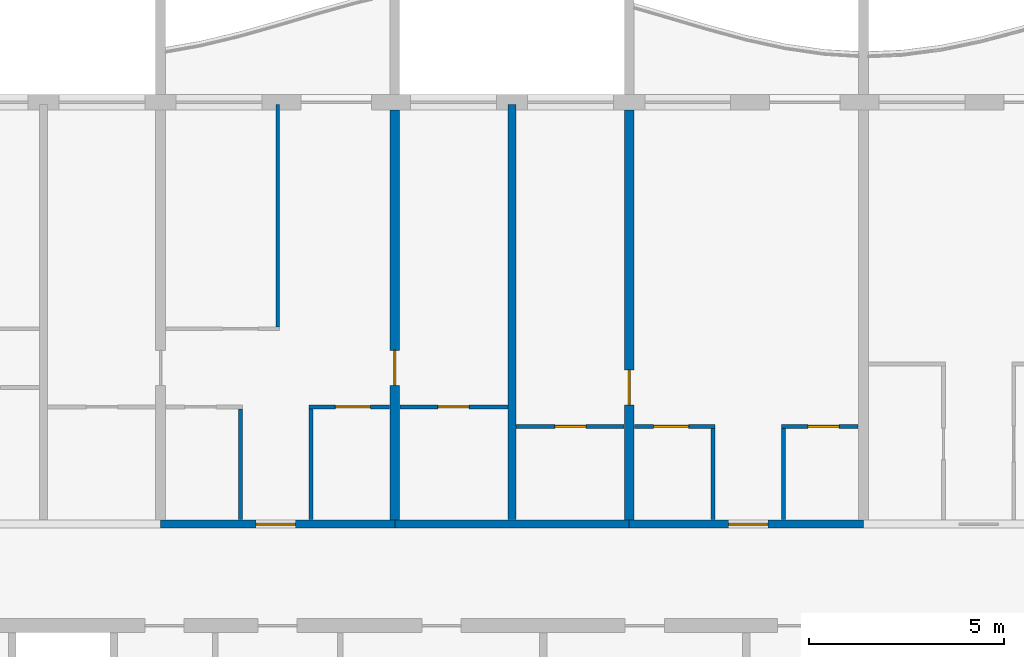
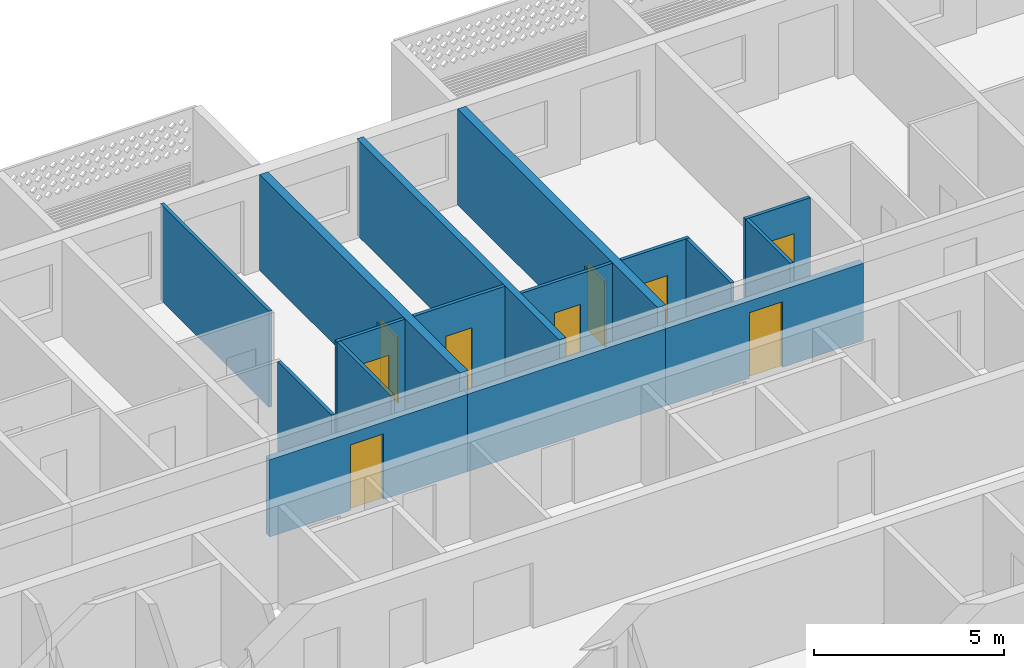
# One storey, part 9 of 26: 16 walls, 9 doors, 9 openings.
"""IFC4 building model written with IfcOpenShell, lengths in metres."""

from ifc_helpers import new_model, si_unit, direction, frame, frame_2d, origin, place, context, subcontext, project, spatial, rectangle, extrude, material, layer, layer_set, type_object, element, fill, save


model = new_model("IFC4")

# Units and contexts
model_context = context("Model", 3, precision=1e-05, world=origin(), true_north=direction((0.0, 1.0)))
body_context = subcontext(model_context, "Body", "Model", "MODEL_VIEW")
ifc_project = project(units=[si_unit("LENGTHUNIT", "METRE"), si_unit("AREAUNIT", "SQUARE_METRE"), si_unit("VOLUMEUNIT", "CUBIC_METRE"), si_unit("PLANEANGLEUNIT", "RADIAN"), si_unit("MASSUNIT", "GRAM", prefix="KILO")], contexts=[model_context])

# Site, building, storey
site_placement = place(None, origin())
site = spatial("IfcSite", under=ifc_project, at=site_placement, CompositionType="ELEMENT")
building_placement = place(site_placement, origin())
building = spatial("IfcBuilding", under=site, at=building_placement, Name="Poui Terraces", CompositionType="ELEMENT")
storey_placement = place(building_placement, frame((0.0, 0.0, 244.5)))
storey = spatial("IfcBuildingStorey", under=building, at=storey_placement, Name="L68", CompositionType="ELEMENT", Elevation=244.5)

# Wall, opening, door
ifc_material_1 = material(Name="Concrete 50 MPa", Category="concrete")
ifc_layer_1 = layer(ifc_material_1, 0.199951171875)
ifc_layer_set_1 = layer_set([ifc_layer_1], Name="Concrete 50 MPa")
wall_type_1 = type_object("IfcWallType", Name="CORRIDOR WALL 200 50MPa", PredefinedType="SHEAR", material=ifc_layer_set_1)
wall_1_placement = place(storey_placement, frame((48.0, 30.39990234375, 0.0), z_axis=(0.0, 0.0, 1.0), x_axis=(1.0, 0.0, 0.0)))
wall_1 = element("IfcWall", 1, at=wall_1_placement, inside=storey, type_object=wall_type_1, Name="CORRIDOR WALL LINE E BAY 6", PredefinedType="SHEAR", context=body_context, shape_type="SweptSolid", body=[
    extrude(rectangle(XDim=6.0, YDim=0.199951171875, at=frame_2d((3.0, 0.0))), origin(), (0.0, 0.0, 1.0), 2.47998046875),
])
opening_1_placement = place(wall_1_placement, frame((2.449951171875, 0.0, 0.0)))
opening_1 = element("IfcOpeningElement", 2, at=opening_1_placement, cuts=wall_1, Name="Opening FD30S", PredefinedType="OPENING", context=body_context, shape_type="SweptSolid", body=[
    extrude(rectangle(XDim=1.0, YDim=2.10009765625, at=frame_2d((0.5, 1.050048828125))), frame((0.0, 0.10986328125, 0.0), z_axis=(0.0, -1.0, 0.0), x_axis=(1.0, 0.0, 0.0)), (0.0, 0.0, 1.0), 0.219970703125),
])
ifc_material_2 = material(Name="Steel fire door", Category="steel")
door_type_1 = type_object("IfcDoorType", Name="FLAT ENTRANCE DOOR 1000 X 2100", OperationType="NOTDEFINED", PredefinedType="DOOR", material=ifc_material_2)
door_1_placement = place(opening_1_placement, origin())
door_1 = element("IfcDoor", 3, at=door_1_placement, inside=storey, type_object=door_type_1, Name="FLAT ENTRANCE DOOR 046", OperationType="SINGLE_SWING_LEFT", OverallHeight=2.10009765625, OverallWidth=1.0, PredefinedType="DOOR", context=body_context, shape_type="SweptSolid", body=[
    extrude(rectangle(XDim=1.0, YDim=2.10009765625, at=frame_2d((0.5, 1.050048828125))), frame((0.0, 0.02490234375, 0.0), z_axis=(0.0, -1.0, 0.0), x_axis=(1.0, 0.0, 0.0)), (0.0, 0.0, 1.0), 0.050048828125),
])
fill(opening_1, door_1)

# Wall
wall_2_placement = place(storey_placement, frame((54.0, 30.39990234375, 0.0), z_axis=(0.0, 0.0, 1.0), x_axis=(1.0, 0.0, 0.0)))
element("IfcWall", 4, at=wall_2_placement, inside=storey, type_object=wall_type_1, Name="CORRIDOR WALL LINE E BAY 7", PredefinedType="SHEAR", context=body_context, shape_type="SweptSolid", body=[
    extrude(rectangle(XDim=6.0, YDim=0.199951171875, at=frame_2d((3.0, 0.0))), origin(), (0.0, 0.0, 1.0), 2.47998046875),
])

# Wall, opening, door
wall_3_placement = place(storey_placement, frame((60.0, 30.39990234375, 0.0), z_axis=(0.0, 0.0, 1.0), x_axis=(1.0, 0.0, 0.0)))
wall_3 = element("IfcWall", 5, at=wall_3_placement, inside=storey, type_object=wall_type_1, Name="CORRIDOR WALL LINE E BAY 8", PredefinedType="SHEAR", context=body_context, shape_type="SweptSolid", body=[
    extrude(rectangle(XDim=6.0, YDim=0.199951171875, at=frame_2d((3.0, 0.0))), origin(), (0.0, 0.0, 1.0), 2.47998046875),
])
opening_2_placement = place(wall_3_placement, frame((2.550048828125, 0.0, 0.0)))
opening_2 = element("IfcOpeningElement", 6, at=opening_2_placement, cuts=wall_3, Name="Opening FD30S", PredefinedType="OPENING", context=body_context, shape_type="SweptSolid", body=[
    extrude(rectangle(XDim=1.0, YDim=2.10009765625, at=frame_2d((0.5, 1.050048828125))), frame((0.0, 0.10986328125, 0.0), z_axis=(0.0, -1.0, 0.0), x_axis=(1.0, 0.0, 0.0)), (0.0, 0.0, 1.0), 0.219970703125),
])
door_2_placement = place(opening_2_placement, origin())
door_2 = element("IfcDoor", 7, at=door_2_placement, inside=storey, type_object=door_type_1, Name="FLAT ENTRANCE DOOR 052", OperationType="SINGLE_SWING_RIGHT", OverallHeight=2.10009765625, OverallWidth=1.0, PredefinedType="DOOR", context=body_context, shape_type="SweptSolid", body=[
    extrude(rectangle(XDim=1.0, YDim=2.10009765625, at=frame_2d((0.5, 1.050048828125))), frame((0.0, 0.02490234375, 0.0), z_axis=(0.0, -1.0, 0.0), x_axis=(1.0, 0.0, 0.0)), (0.0, 0.0, 1.0), 0.050048828125),
])
fill(opening_2, door_2)

ifc_layer_2 = layer(ifc_material_1, 0.25)
ifc_layer_set_2 = layer_set([ifc_layer_2], Name="Concrete 50 MPa")
wall_type_2 = type_object("IfcWallType", Name="CROSS WALL 250 50MPa", PredefinedType="SHEAR", material=ifc_layer_set_2)
wall_4_placement = place(storey_placement, frame((54.0, 30.5, 0.0), z_axis=(0.0, 0.0, 1.0), x_axis=(0.0, 1.0, 0.0)))
wall_4 = element("IfcWall", 8, at=wall_4_placement, inside=storey, type_object=wall_type_2, Name="CROSS WALL LINE 10 NORTH", PredefinedType="SHEAR", context=body_context, shape_type="SweptSolid", body=[
    extrude(rectangle(XDim=10.5, YDim=0.25, at=frame_2d((5.25, 0.0))), origin(), (0.0, 0.0, 1.0), 3.080078125),
])
opening_3_placement = place(wall_4_placement, frame((3.449951171875, 0.0, 0.0)))
opening_3 = element("IfcOpeningElement", 9, at=opening_3_placement, cuts=wall_4, Name="Opening D90", PredefinedType="OPENING", context=body_context, shape_type="SweptSolid", body=[
    extrude(rectangle(XDim=0.89990234375, YDim=2.10009765625, at=frame_2d((0.449951171875, 1.050048828125))), frame((0.0, 0.135009765625, 0.0), z_axis=(0.0, -1.0, 0.0), x_axis=(1.0, 0.0, 0.0)), (0.0, 0.0, 1.0), 0.27001953125),
])
ifc_material_3 = material(Name="Solid core timber door", Category="wood")
door_type_2 = type_object("IfcDoorType", Name="INTERNAL DOOR 900 X 2100", OperationType="NOTDEFINED", PredefinedType="DOOR", material=ifc_material_3)
door_3_placement = place(opening_3_placement, frame((0.89990234375, 0.0, 0.0), z_axis=(0.0, 0.0, 1.0), x_axis=(-1.0, 0.0, 0.0)))
door_3 = element("IfcDoor", 10, at=door_3_placement, inside=storey, type_object=door_type_2, Name="INTERNAL DOOR 048", OperationType="SINGLE_SWING_RIGHT", OverallHeight=2.10009765625, OverallWidth=0.89990234375, PredefinedType="DOOR", context=body_context, shape_type="SweptSolid", body=[
    extrude(rectangle(XDim=0.89990234375, YDim=2.10009765625, at=frame_2d((0.449951171875, 1.050048828125))), frame((0.0, 0.02490234375, 0.0), z_axis=(0.0, -1.0, 0.0), x_axis=(1.0, 0.0, 0.0)), (0.0, 0.0, 1.0), 0.050048828125),
])
fill(opening_3, door_3)

wall_5_placement = place(storey_placement, frame((60.0, 30.5, 0.0), z_axis=(0.0, 0.0, 1.0), x_axis=(0.0, 1.0, 0.0)))
wall_5 = element("IfcWall", 11, at=wall_5_placement, inside=storey, type_object=wall_type_2, Name="CROSS WALL LINE 11 NORTH", PredefinedType="SHEAR", context=body_context, shape_type="SweptSolid", body=[
    extrude(rectangle(XDim=10.5, YDim=0.25, at=frame_2d((5.25, 0.0))), origin(), (0.0, 0.0, 1.0), 3.080078125),
])
opening_4_placement = place(wall_5_placement, frame((2.949951171875, 0.0, 0.0)))
opening_4 = element("IfcOpeningElement", 12, at=opening_4_placement, cuts=wall_5, Name="Opening D90", PredefinedType="OPENING", context=body_context, shape_type="SweptSolid", body=[
    extrude(rectangle(XDim=0.89990234375, YDim=2.10009765625, at=frame_2d((0.449951171875, 1.050048828125))), frame((0.0, 0.135009765625, 0.0), z_axis=(0.0, -1.0, 0.0), x_axis=(1.0, 0.0, 0.0)), (0.0, 0.0, 1.0), 0.27001953125),
])
door_4_placement = place(opening_4_placement, origin())
door_4 = element("IfcDoor", 13, at=door_4_placement, inside=storey, type_object=door_type_2, Name="INTERNAL DOOR 050", OperationType="SINGLE_SWING_LEFT", OverallHeight=2.10009765625, OverallWidth=0.89990234375, PredefinedType="DOOR", context=body_context, shape_type="SweptSolid", body=[
    extrude(rectangle(XDim=0.89990234375, YDim=2.10009765625, at=frame_2d((0.449951171875, 1.050048828125))), frame((0.0, 0.02490234375, 0.0), z_axis=(0.0, -1.0, 0.0), x_axis=(1.0, 0.0, 0.0)), (0.0, 0.0, 1.0), 0.050048828125),
])
fill(opening_4, door_4)

ifc_material_4 = material(Name="Plasterboard partition")
ifc_layer_3 = layer(ifc_material_4, 0.10009765625)
ifc_layer_set_3 = layer_set([ifc_layer_3], Name="Plasterboard partition")
wall_type_3 = type_object("IfcWallType", Name="FLAT PARTITION 100", PredefinedType="PARTITIONING", material=ifc_layer_set_3)
wall_6_placement = place(storey_placement, frame((57.10009765625, 32.89990234375, 0.0), z_axis=(0.0, 0.0, 1.0), x_axis=(1.0, 0.0, 0.0)))
wall_6 = element("IfcWall", 14, at=wall_6_placement, inside=storey, type_object=wall_type_3, Name="FLAT PARTITION 100", PredefinedType="PARTITIONING", context=body_context, shape_type="SweptSolid", body=[
    extrude(rectangle(XDim=2.764892578125, YDim=0.10009765625, at=frame_2d((1.38232421875, 0.0))), origin(), (0.0, 0.0, 1.0), 3.080078125),
])
opening_5_placement = place(wall_6_placement, frame((1.0, 0.0, 0.0)))
opening_5 = element("IfcOpeningElement", 15, at=opening_5_placement, cuts=wall_6, Name="Opening D80", PredefinedType="OPENING", context=body_context, shape_type="SweptSolid", body=[
    extrude(rectangle(XDim=0.800048828125, YDim=2.10009765625, at=frame_2d((0.39990234375, 1.050048828125))), frame((0.0, 0.06005859375, 0.0), z_axis=(0.0, -1.0, 0.0), x_axis=(1.0, 0.0, 0.0)), (0.0, 0.0, 1.0), 0.1201171875),
])
door_type_3 = type_object("IfcDoorType", Name="BATHROOM, LAUNDRY AND STORE DOOR 800 X 2100", OperationType="NOTDEFINED", PredefinedType="DOOR", material=ifc_material_3)
door_5_placement = place(opening_5_placement, frame((0.800048828125, 0.0, 0.0), z_axis=(0.0, 0.0, 1.0), x_axis=(-1.0, 0.0, 0.0)))
door_5 = element("IfcDoor", 16, at=door_5_placement, inside=storey, type_object=door_type_3, Name="BATHROOM, LAUNDRY AND STORE DOOR 049", OperationType="SINGLE_SWING_RIGHT", OverallHeight=2.10009765625, OverallWidth=0.800048828125, PredefinedType="DOOR", context=body_context, shape_type="SweptSolid", body=[
    extrude(rectangle(XDim=0.800048828125, YDim=2.10009765625, at=frame_2d((0.39990234375, 1.050048828125))), frame((0.0, 0.02490234375, 0.0), z_axis=(0.0, -1.0, 0.0), x_axis=(1.0, 0.0, 0.0)), (0.0, 0.0, 1.0), 0.050048828125),
])
fill(opening_5, door_5)

wall_7_placement = place(storey_placement, frame((60.135009765625, 32.89990234375, 0.0), z_axis=(0.0, 0.0, 1.0), x_axis=(1.0, 0.0, 0.0)))
wall_7 = element("IfcWall", 17, at=wall_7_placement, inside=storey, type_object=wall_type_3, Name="FLAT PARTITION 100", PredefinedType="PARTITIONING", context=body_context, shape_type="SweptSolid", body=[
    extrude(rectangle(XDim=2.06494140625, YDim=0.10009765625, at=frame_2d((1.032470703125, 0.0))), origin(), (0.0, 0.0, 1.0), 3.080078125),
])
opening_6_placement = place(wall_7_placement, frame((0.489990234375, 0.0, 0.0)))
opening_6 = element("IfcOpeningElement", 18, at=opening_6_placement, cuts=wall_7, Name="Opening D90", PredefinedType="OPENING", context=body_context, shape_type="SweptSolid", body=[
    extrude(rectangle(XDim=0.89990234375, YDim=2.10009765625, at=frame_2d((0.449951171875, 1.050048828125))), frame((0.0, 0.06005859375, 0.0), z_axis=(0.0, -1.0, 0.0), x_axis=(1.0, 0.0, 0.0)), (0.0, 0.0, 1.0), 0.1201171875),
])
door_6_placement = place(opening_6_placement, frame((0.89990234375, 0.0, 0.0), z_axis=(0.0, 0.0, 1.0), x_axis=(-1.0, 0.0, 0.0)))
door_6 = element("IfcDoor", 19, at=door_6_placement, inside=storey, type_object=door_type_2, Name="INTERNAL DOOR 051", OperationType="SINGLE_SWING_LEFT", OverallHeight=2.10009765625, OverallWidth=0.89990234375, PredefinedType="DOOR", context=body_context, shape_type="SweptSolid", body=[
    extrude(rectangle(XDim=0.89990234375, YDim=2.10009765625, at=frame_2d((0.449951171875, 1.050048828125))), frame((0.0, 0.02490234375, 0.0), z_axis=(0.0, -1.0, 0.0), x_axis=(1.0, 0.0, 0.0)), (0.0, 0.0, 1.0), 0.050048828125),
])
fill(opening_6, door_6)

wall_8_placement = place(storey_placement, frame((63.89990234375, 32.89990234375, 0.0), z_axis=(0.0, 0.0, 1.0), x_axis=(1.0, 0.0, 0.0)))
wall_8 = element("IfcWall", 20, at=wall_8_placement, inside=storey, type_object=wall_type_3, Name="FLAT PARTITION 100", PredefinedType="PARTITIONING", context=body_context, shape_type="SweptSolid", body=[
    extrude(rectangle(XDim=1.965087890625, YDim=0.10009765625, at=frame_2d((0.982421875, 0.0))), origin(), (0.0, 0.0, 1.0), 3.080078125),
])
opening_7_placement = place(wall_8_placement, frame((0.675048828125, 0.0, 0.0)))
opening_7 = element("IfcOpeningElement", 21, at=opening_7_placement, cuts=wall_8, Name="Opening D80", PredefinedType="OPENING", context=body_context, shape_type="SweptSolid", body=[
    extrude(rectangle(XDim=0.800048828125, YDim=2.10009765625, at=frame_2d((0.39990234375, 1.050048828125))), frame((0.0, 0.06005859375, 0.0), z_axis=(0.0, -1.0, 0.0), x_axis=(1.0, 0.0, 0.0)), (0.0, 0.0, 1.0), 0.1201171875),
])
door_7_placement = place(opening_7_placement, frame((0.800048828125, 0.0, 0.0), z_axis=(0.0, 0.0, 1.0), x_axis=(-1.0, 0.0, 0.0)))
door_7 = element("IfcDoor", 22, at=door_7_placement, inside=storey, type_object=door_type_3, Name="BATHROOM, LAUNDRY AND STORE DOOR 053", OperationType="SINGLE_SWING_RIGHT", OverallHeight=2.10009765625, OverallWidth=0.800048828125, PredefinedType="DOOR", context=body_context, shape_type="SweptSolid", body=[
    extrude(rectangle(XDim=0.800048828125, YDim=2.10009765625, at=frame_2d((0.39990234375, 1.050048828125))), frame((0.0, 0.02490234375, 0.0), z_axis=(0.0, -1.0, 0.0), x_axis=(1.0, 0.0, 0.0)), (0.0, 0.0, 1.0), 0.050048828125),
])
fill(opening_7, door_7)

wall_9_placement = place(storey_placement, frame((51.800048828125, 33.39990234375, 0.0), z_axis=(0.0, 0.0, 1.0), x_axis=(1.0, 0.0, 0.0)))
wall_9 = element("IfcWall", 23, at=wall_9_placement, inside=storey, type_object=wall_type_3, Name="FLAT PARTITION 100", PredefinedType="PARTITIONING", context=body_context, shape_type="SweptSolid", body=[
    extrude(rectangle(XDim=2.06494140625, YDim=0.10009765625, at=frame_2d((1.032470703125, 0.0))), origin(), (0.0, 0.0, 1.0), 3.080078125),
])
opening_8_placement = place(wall_9_placement, frame((0.675048828125, 0.0, 0.0)))
opening_8 = element("IfcOpeningElement", 24, at=opening_8_placement, cuts=wall_9, Name="Opening D90", PredefinedType="OPENING", context=body_context, shape_type="SweptSolid", body=[
    extrude(rectangle(XDim=0.89990234375, YDim=2.10009765625, at=frame_2d((0.449951171875, 1.050048828125))), frame((0.0, 0.06005859375, 0.0), z_axis=(0.0, -1.0, 0.0), x_axis=(1.0, 0.0, 0.0)), (0.0, 0.0, 1.0), 0.1201171875),
])
door_8_placement = place(opening_8_placement, frame((0.89990234375, 0.0, 0.0), z_axis=(0.0, 0.0, 1.0), x_axis=(-1.0, 0.0, 0.0)))
door_8 = element("IfcDoor", 25, at=door_8_placement, inside=storey, type_object=door_type_2, Name="INTERNAL DOOR 047", OperationType="SINGLE_SWING_RIGHT", OverallHeight=2.10009765625, OverallWidth=0.89990234375, PredefinedType="DOOR", context=body_context, shape_type="SweptSolid", body=[
    extrude(rectangle(XDim=0.89990234375, YDim=2.10009765625, at=frame_2d((0.449951171875, 1.050048828125))), frame((0.0, 0.02490234375, 0.0), z_axis=(0.0, -1.0, 0.0), x_axis=(1.0, 0.0, 0.0)), (0.0, 0.0, 1.0), 0.050048828125),
])
fill(opening_8, door_8)

wall_10_placement = place(storey_placement, frame((54.135009765625, 33.39990234375, 0.0), z_axis=(0.0, 0.0, 1.0), x_axis=(1.0, 0.0, 0.0)))
wall_10 = element("IfcWall", 26, at=wall_10_placement, inside=storey, type_object=wall_type_3, Name="FLAT PARTITION 100", PredefinedType="PARTITIONING", context=body_context, shape_type="SweptSolid", body=[
    extrude(rectangle(XDim=2.764892578125, YDim=0.10009765625, at=frame_2d((1.38232421875, 0.0))), origin(), (0.0, 0.0, 1.0), 3.080078125),
])
opening_9_placement = place(wall_10_placement, frame((0.965087890625, 0.0, 0.0)))
opening_9 = element("IfcOpeningElement", 27, at=opening_9_placement, cuts=wall_10, Name="Opening D80", PredefinedType="OPENING", context=body_context, shape_type="SweptSolid", body=[
    extrude(rectangle(XDim=0.800048828125, YDim=2.10009765625, at=frame_2d((0.39990234375, 1.050048828125))), frame((0.0, 0.06005859375, 0.0), z_axis=(0.0, -1.0, 0.0), x_axis=(1.0, 0.0, 0.0)), (0.0, 0.0, 1.0), 0.1201171875),
])
door_9_placement = place(opening_9_placement, frame((0.800048828125, 0.0, 0.0), z_axis=(0.0, 0.0, 1.0), x_axis=(-1.0, 0.0, 0.0)))
door_9 = element("IfcDoor", 28, at=door_9_placement, inside=storey, type_object=door_type_3, Name="BATHROOM, LAUNDRY AND STORE DOOR 042", OperationType="SINGLE_SWING_LEFT", OverallHeight=2.10009765625, OverallWidth=0.800048828125, PredefinedType="DOOR", context=body_context, shape_type="SweptSolid", body=[
    extrude(rectangle(XDim=0.800048828125, YDim=2.10009765625, at=frame_2d((0.39990234375, 1.050048828125))), frame((0.0, 0.02490234375, 0.0), z_axis=(0.0, -1.0, 0.0), x_axis=(1.0, 0.0, 0.0)), (0.0, 0.0, 1.0), 0.050048828125),
])
fill(opening_9, door_9)

# Walls
wall_11_placement = place(storey_placement, frame((50.050048828125, 30.510009765625, 0.0), z_axis=(0.0, 0.0, 1.0), x_axis=(0.0, 1.0, 0.0)))
element("IfcWall", 29, at=wall_11_placement, inside=storey, type_object=wall_type_3, Name="FLAT PARTITION 100", PredefinedType="PARTITIONING", context=body_context, shape_type="SweptSolid", body=[
    extrude(rectangle(XDim=2.840087890625, YDim=0.10009765625, at=frame_2d((1.419921875, 0.0))), origin(), (0.0, 0.0, 1.0), 3.080078125),
])
wall_12_placement = place(storey_placement, frame((51.0, 35.449951171875, 0.0), z_axis=(0.0, 0.0, 1.0), x_axis=(0.0, 1.0, 0.0)))
element("IfcWall", 30, at=wall_12_placement, inside=storey, type_object=wall_type_3, Name="FLAT PARTITION 100", PredefinedType="PARTITIONING", context=body_context, shape_type="SweptSolid", body=[
    extrude(rectangle(XDim=5.68994140625, YDim=0.10009765625, at=frame_2d((2.844970703125, 0.0))), origin(), (0.0, 0.0, 1.0), 3.080078125),
])
wall_13_placement = place(storey_placement, frame((51.85009765625, 30.510009765625, 0.0), z_axis=(0.0, 0.0, 1.0), x_axis=(0.0, 1.0, 0.0)))
element("IfcWall", 31, at=wall_13_placement, inside=storey, type_object=wall_type_3, Name="FLAT PARTITION 100", PredefinedType="PARTITIONING", context=body_context, shape_type="SweptSolid", body=[
    extrude(rectangle(XDim=2.840087890625, YDim=0.10009765625, at=frame_2d((1.419921875, 0.0))), origin(), (0.0, 0.0, 1.0), 3.080078125),
])
for number, where, z_axis, x_axis, name in (
    (32, (62.14990234375, 30.510009765625, 0.0), (0.0, 0.0, 1.0), (0.0, 1.0, 0.0), "FLAT PARTITION 100"),
    (33, (63.949951171875, 30.510009765625, 0.0), (0.0, 0.0, 1.0), (0.0, 1.0, 0.0), "FLAT PARTITION 100"),
):
    element("IfcWall", number, at=place(storey_placement, frame(where, z_axis=z_axis, x_axis=x_axis)), inside=storey, type_object=wall_type_3, Name=name, PredefinedType="PARTITIONING", context=body_context, shape_type="SweptSolid", body=[
        extrude(rectangle(XDim=2.340087890625, YDim=0.10009765625, at=frame_2d((1.169921875, 0.0))), origin(), (0.0, 0.0, 1.0), 3.080078125),
    ])
ifc_material_5 = material(Name="Fire-rated masonry wall", Category="masonry")
ifc_layer_4 = layer(ifc_material_5, 0.199951171875)
ifc_layer_set_4 = layer_set([ifc_layer_4], Name="Fire-rated masonry wall")
wall_type_4 = type_object("IfcWallType", Name="FLAT PARTY WALL 200", PredefinedType="PARTITIONING", material=ifc_layer_set_4)
wall_14_placement = place(storey_placement, frame((57.0, 30.510009765625, 0.0), z_axis=(0.0, 0.0, 1.0), x_axis=(0.0, 1.0, 0.0)))
element("IfcWall", 34, at=wall_14_placement, inside=storey, type_object=wall_type_4, Name="FLAT PARTY WALL 200", PredefinedType="PARTITIONING", context=body_context, shape_type="SweptSolid", body=[
    extrude(rectangle(XDim=10.6298828125, YDim=0.199951171875, at=frame_2d((5.31494140625, 0.0))), origin(), (0.0, 0.0, 1.0), 3.080078125),
])

save(model, "model.ifc")
